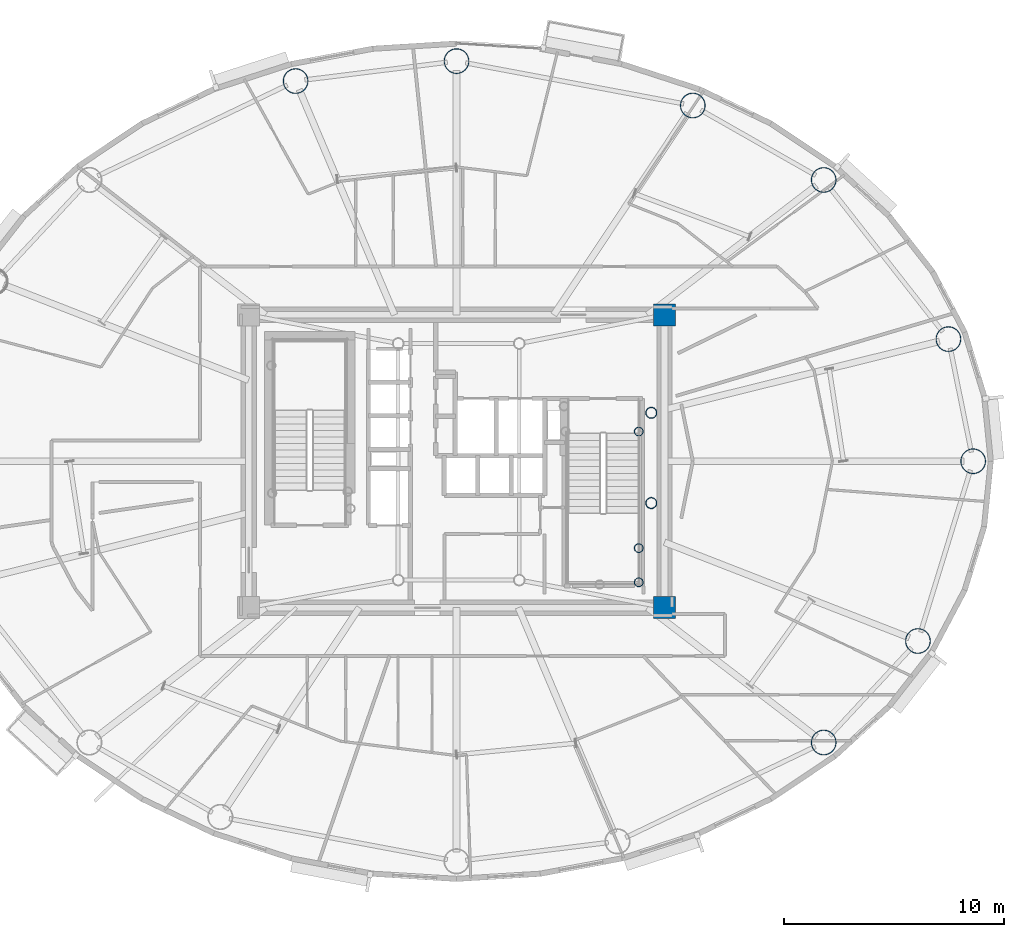
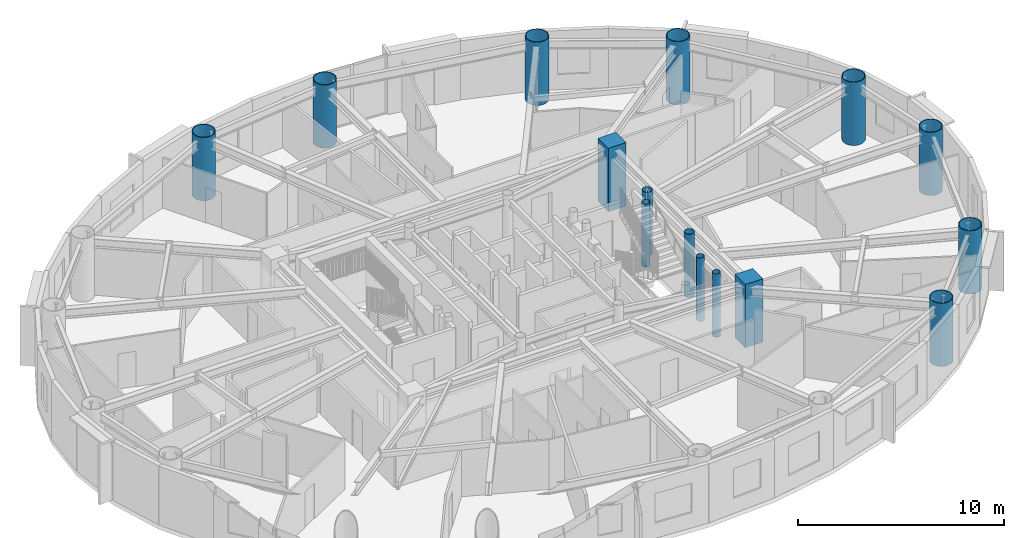
# One storey, part 2 of 20: 15 columns.
"""IFC4 building model written with IfcOpenShell, lengths in metres."""

from ifc_helpers import new_model, si_unit, direction, frame, origin, origin_2d, place, context, subcontext, project, spatial, rectangle, hollow_circle, extrude, material, material_profile, profile_set, type_object, element, save


model = new_model("IFC4")

# Units and contexts
model_context = context("Model", 3, precision=1e-05, world=origin(), true_north=direction((0.0, 1.0)))
body_context = subcontext(model_context, "Body", "Model", "MODEL_VIEW")
ifc_project = project(units=[si_unit("LENGTHUNIT", "METRE"), si_unit("AREAUNIT", "SQUARE_METRE"), si_unit("VOLUMEUNIT", "CUBIC_METRE"), si_unit("PLANEANGLEUNIT", "RADIAN"), si_unit("MASSUNIT", "GRAM", prefix="KILO")], contexts=[model_context])

# Site, building, storey
site_placement = place(None, origin())
site = spatial("IfcSite", under=ifc_project, at=site_placement, CompositionType="ELEMENT")
building_placement = place(site_placement, origin())
building = spatial("IfcBuilding", under=site, at=building_placement, Name="Linh Dai School and Residence Tower", CompositionType="ELEMENT")
storey_placement = place(building_placement, frame((0.0, 0.0, 232.800048828125)))
storey = spatial("IfcBuildingStorey", under=building, at=storey_placement, Name="L57", CompositionType="ELEMENT", Elevation=232.800048828125)

# Columns
ifc_material_1 = material(Name="Concrete B45 (C35/45)", Category="concrete")
ifc_material_profile_1 = material_profile(ifc_material_1, rectangle(XDim=1.0, YDim=1.0, at=origin_2d()), Name="RC 1000x1000")
ifc_profile_set_1 = profile_set([ifc_material_profile_1], Name="Concrete B45 (C35/45)")
column_type_1 = type_object("IfcColumnType", Name="COL-CC3", PredefinedType="COLUMN", material=ifc_profile_set_1)
for number, where, z_axis, x_axis, name in (
    (1, (45.449951171875, 20.35009765625, 0.0), (0.0, 0.0, 1.0), (1.0, 0.0, 0.0), "L57 Core Corner Pier CC2"),
    (2, (45.449951171875, 33.64990234375, 0.0), (0.0, 0.0, 1.0), (1.0, 0.0, 0.0), "L57 Core Corner Pier CC3"),
):
    element("IfcColumn", number, at=place(storey_placement, frame(where, z_axis=z_axis, x_axis=x_axis)), inside=storey, type_object=column_type_1, Name=name, PredefinedType="COLUMN", context=body_context, shape_type="SweptSolid", body=[
        extrude(rectangle(XDim=1.0, YDim=1.0, at=origin_2d()), origin(), (0.0, 0.0, 1.0), 3.75),
    ])
ifc_material_2 = material(Name="Structural Steel S355JR", Category="steel")
ifc_material_profile_2 = material_profile(ifc_material_2, hollow_circle(Radius=0.203125, WallThickness=0.01611328125, at=origin_2d()), Name="CHS 406.4x16")
ifc_profile_set_2 = profile_set([ifc_material_profile_2], Name="Structural Steel S355JR")
column_type_2 = type_object("IfcColumnType", Name="COL-EC", PredefinedType="COLUMN", material=ifc_profile_set_2)
for number, where, z_axis, x_axis, name in (
    (3, (44.280029296875, 21.5, 0.0), (0.0, 0.0, 1.0), (1.0, 0.0, 0.0), "L57 Stair Shaft Landing Support Pier ST2SE"),
    (4, (44.280029296875, 23.050048828125, 0.0), (0.0, 0.0, 1.0), (1.0, 0.0, 0.0), "L57 Stair Shaft Landing Support Pier ST2NE"),
    (5, (44.280029296875, 28.35009765625, 0.0), (0.0, 0.0, 1.0), (1.0, 0.0, 0.0), "L57 Stair Shaft Landing Support Pier ST2N2"),
):
    element("IfcColumn", number, at=place(storey_placement, frame(where, z_axis=z_axis, x_axis=x_axis)), inside=storey, type_object=column_type_2, Name=name, PredefinedType="COLUMN", context=body_context, shape_type="SweptSolid", body=[
        extrude(hollow_circle(Radius=0.203125, WallThickness=0.01611328125, at=origin_2d()), origin(), (0.0, 0.0, 1.0), 3.75),
    ])
ifc_material_profile_3 = material_profile(ifc_material_2, hollow_circle(Radius=0.574951171875, WallThickness=0.035888671875, at=origin_2d()), Name="CHS 1150x36")
ifc_profile_set_3 = profile_set([ifc_material_profile_3], Name="Structural Steel S355JR")
column_type_3 = type_object("IfcColumnType", Name="COL-MC5", PredefinedType="COLUMN", material=ifc_profile_set_3)
for number, where, z_axis, x_axis, name in (
    (6, (59.47509765625, 27.0, 0.0), (0.0, 0.0, 1.0), (1.0, 0.0, 0.0), "L57 Perimeter CFT Mega-Column MC01"),
    (7, (58.351318359375, 32.54931640625, 0.0), (0.0, 0.0, 1.0), (1.0, 0.0, 0.0), "L57 Perimeter CFT Mega-Column MC02"),
    (8, (52.68310546875, 39.781005859375, 0.0), (0.0, 0.0, 1.0), (1.0, 0.0, 0.0), "L57 Perimeter CFT Mega-Column MC03"),
    (9, (46.734619140625, 43.16357421875, 0.0), (0.0, 0.0, 1.0), (1.0, 0.0, 0.0), "L57 Perimeter CFT Mega-Column MC04"),
    (10, (36.0, 45.179931640625, 0.0), (0.0, 0.0, 1.0), (1.0, 0.0, 0.0), "L57 Perimeter CFT Mega-Column MC05"),
    (11, (28.68798828125, 44.2734375, 0.0), (0.0, 0.0, 1.0), (1.0, 0.0, 0.0), "L57 Perimeter CFT Mega-Column MC06"),
    (12, (52.68310546875, 14.218994140625, 0.0), (0.0, 0.0, 1.0), (1.0, 0.0, 0.0), "L57 Perimeter CFT Mega-Column MC15"),
    (13, (56.96533203125, 18.8310546875, 0.0), (0.0, 0.0, 1.0), (1.0, 0.0, 0.0), "L57 Perimeter CFT Mega-Column MC16"),
):
    element("IfcColumn", number, at=place(storey_placement, frame(where, z_axis=z_axis, x_axis=x_axis)), inside=storey, type_object=column_type_3, Name=name, PredefinedType="COLUMN", context=body_context, shape_type="SweptSolid", body=[
        extrude(hollow_circle(Radius=0.574951171875, WallThickness=0.035888671875, at=origin_2d()), origin(), (0.0, 0.0, 1.0), 3.75),
    ])
ifc_material_profile_4 = material_profile(ifc_material_2, hollow_circle(Radius=0.25390625, WallThickness=0.02001953125, at=origin_2d()), Name="CHS 508x20")
ifc_profile_set_4 = profile_set([ifc_material_profile_4], Name="Structural Steel S355JR")
column_type_4 = type_object("IfcColumnType", Name="COL-MCP", PredefinedType="COLUMN", material=ifc_profile_set_4)
for number, where, z_axis, x_axis, name in (
    (14, (44.85009765625, 25.10009765625, 0.0), (0.0, 0.0, 1.0), (1.0, 0.0, 0.0), "L57 Sky-Lounge Core Anchor Pier S"),
    (15, (44.85009765625, 29.199951171875, 0.0), (0.0, 0.0, 1.0), (1.0, 0.0, 0.0), "L57 Sky-Lounge Core Anchor Pier N"),
):
    element("IfcColumn", number, at=place(storey_placement, frame(where, z_axis=z_axis, x_axis=x_axis)), inside=storey, type_object=column_type_4, Name=name, PredefinedType="COLUMN", context=body_context, shape_type="SweptSolid", body=[
        extrude(hollow_circle(Radius=0.25390625, WallThickness=0.02001953125, at=origin_2d()), origin(), (0.0, 0.0, 1.0), 3.75),
    ])

save(model, "model.ifc")
